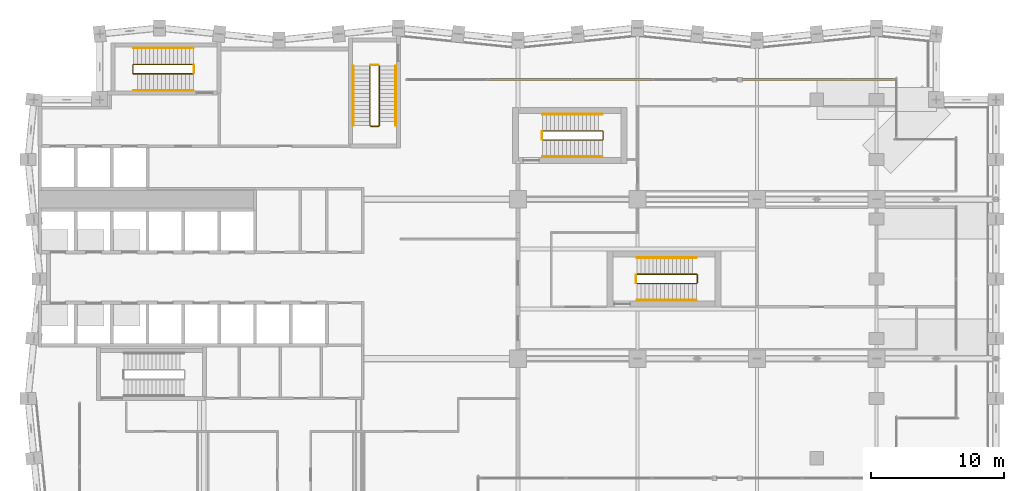
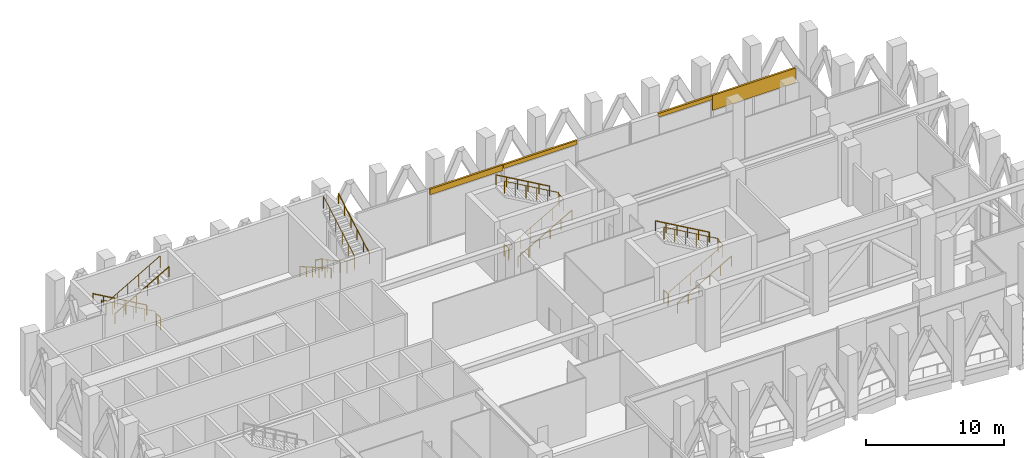
# One storey, part 35 of 37: 16 railings, 4 coverings.
"""IFC4 building model written with IfcOpenShell, lengths in metres."""

from ifc_helpers import new_model, si_unit, direction, frame, origin, origin_2d, place, context, subcontext, project, spatial, rectangle, circle, extrude, material, layer, layer_set, type_object, element, save


model = new_model("IFC4")

# Units and contexts
model_context = context("Model", 3, precision=1e-05, world=origin(), true_north=direction((0.0, 1.0)))
body_context = subcontext(model_context, "Body", "Model", "MODEL_VIEW")
ifc_project = project(units=[si_unit("LENGTHUNIT", "METRE"), si_unit("AREAUNIT", "SQUARE_METRE"), si_unit("VOLUMEUNIT", "CUBIC_METRE"), si_unit("PLANEANGLEUNIT", "RADIAN"), si_unit("MASSUNIT", "GRAM", prefix="KILO")], contexts=[model_context])

# Site, building, storey
site_placement = place(None, origin())
site = spatial("IfcSite", under=ifc_project, at=site_placement, CompositionType="ELEMENT")
building_placement = place(site_placement, origin())
building = spatial("IfcBuilding", under=site, at=building_placement, Name="Brondeck Convention Tower", CompositionType="ELEMENT")
storey_placement = place(building_placement, frame((0.0, 0.0, 137.89990234375)))
storey = spatial("IfcBuildingStorey", under=building, at=storey_placement, Name="L33", CompositionType="ELEMENT", Elevation=137.89990234375)

# Coverings
ifc_material_1 = material(Name="Aluminium, bronze anodised", Category="aluminium")
ifc_layer = layer(ifc_material_1, 0.10009765625)
ifc_layer_set = layer_set([ifc_layer], Name="Curtain wall spandrel panel, bronze anodised aluminium")
covering_type = type_object("IfcCoveringType", Name="Curtain wall spandrel panel, bronze anodised aluminium", PredefinedType="CLADDING", material=ifc_layer_set)
covering_1_placement = place(storey_placement, frame((60.875, 60.0, 3.7001953125), z_axis=(0.0, 0.0, 1.0), x_axis=(1.0, 0.0, 0.0)))
element("IfcCovering", 1, at=covering_1_placement, inside=storey, type_object=covering_type, Name="ENV-L33-024-CW30-SP", PredefinedType="CLADDING", context=body_context, shape_type="SweptSolid", body=[
    extrude(rectangle(XDim=6.949951171875, YDim=0.159912109375, at=origin_2d()), origin(), (0.0, 0.0, 1.0), 1.300048828125),
])
covering_2_placement = place(storey_placement, frame((55.14990234375, 60.0, 4.650146484375), z_axis=(0.0, 0.0, 1.0), x_axis=(1.0, 0.0, 0.0)))
element("IfcCovering", 2, at=covering_2_placement, inside=storey, type_object=covering_type, Name="ENV-L33-025-CW30-SP", PredefinedType="CLADDING", context=body_context, shape_type="SweptSolid", body=[
    extrude(rectangle(XDim=4.5, YDim=0.159912109375, at=origin_2d()), origin(), (0.0, 0.0, 1.0), 0.35009765625),
])
covering_3_placement = place(storey_placement, frame((43.03173828125, 60.0, 4.650146484375), z_axis=(0.0, 0.0, 1.0), x_axis=(1.0, 0.0, 0.0)))
element("IfcCovering", 3, at=covering_3_placement, inside=storey, type_object=covering_type, Name="ENV-L33-028-CW30-SP", PredefinedType="CLADDING", context=body_context, shape_type="SweptSolid", body=[
    extrude(rectangle(XDim=6.13671875, YDim=0.159912109375, at=origin_2d()), origin(), (0.0, 0.0, 1.0), 0.35009765625),
])
covering_4_placement = place(storey_placement, frame((36.85009765625, 60.0, 4.5), z_axis=(0.0, 0.0, 1.0), x_axis=(1.0, 0.0, 0.0)))
element("IfcCovering", 4, at=covering_4_placement, inside=storey, type_object=covering_type, Name="ENV-L33-028-CW31-SP", PredefinedType="CLADDING", context=body_context, shape_type="SweptSolid", body=[
    extrude(rectangle(XDim=6.106689453125, YDim=0.159912109375, at=origin_2d()), origin(), (0.0, 0.0, 1.0), 0.5),
])

# Railings
ifc_material_2 = material(Name="Steel S355", Category="steel")
railing_type_1 = type_object("IfcRailingType", Name="Stair guard 1100", PredefinedType="GUARDRAIL", material=ifc_material_2)
railing_1_placement = place(storey_placement, frame((24.85009765625, 61.050048828125, 0.171875)))
element("IfcRailing", 5, at=railing_1_placement, inside=storey, type_object=railing_type_1, Name="L33 ST-2 stair guard 1", PredefinedType="GUARDRAIL", context=body_context, shape_type="SweptSolid", body=[
    extrude(circle(Radius=0.02392578125, at=origin_2d()), frame((0.0, 0.0, 1.076171875), z_axis=(0.0, -0.867686387293, 0.49711199272), x_axis=(1.0, 0.0, 0.0)), (0.0, 0.0, 1.0), 5.186279296875),
    extrude(circle(Radius=0.02392578125, at=origin_2d()), frame((0.0, -4.5, 3.654296875), z_axis=(0.705375805398, -0.708833529934, 0.0), x_axis=(0.708833529934, 0.705375805398, 0.0)), (0.0, 0.0, 1.0), 0.070556640625),
    extrude(circle(Radius=0.02392578125, at=origin_2d()), frame((0.0498046875, -4.550048828125, 3.654296875), z_axis=(1.0, 0.0, 0.0), x_axis=(0.0, 1.0, 0.0)), (0.0, 0.0, 1.0), 0.60009765625),
    extrude(circle(Radius=0.02392578125, at=origin_2d()), frame((0.64990234375, -4.550048828125, 3.654296875), z_axis=(0.269255725606, 0.269255725606, 0.92466356501), x_axis=(-0.707106781187, 0.707106781187, 0.0)), (0.0, 0.0, 1.0), 0.185791015625),
    extrude(circle(Radius=0.02392578125, at=origin_2d()), frame((0.699951171875, -4.5, 3.826171875), z_axis=(0.0, 0.867686387293, 0.49711199272), x_axis=(-1.0, 0.0, 0.0)), (0.0, 0.0, 1.0), 5.186279296875),
    extrude(circle(Radius=0.02099609375, at=origin_2d()), origin(), (0.0, 0.0, 1.0), 1.052001953125),
    extrude(circle(Radius=0.02099609375, at=origin_2d()), frame((0.0, -0.89990234375, 0.515625)), (0.0, 0.0, 1.0), 1.052001953125),
    extrude(circle(Radius=0.02099609375, at=origin_2d()), frame((0.0, -1.800048828125, 1.03125)), (0.0, 0.0, 1.0), 1.052001953125),
    extrude(circle(Radius=0.02099609375, at=origin_2d()), frame((0.0, -2.699951171875, 1.546875)), (0.0, 0.0, 1.0), 1.052001953125),
    extrude(circle(Radius=0.02099609375, at=origin_2d()), frame((0.0, -3.60009765625, 2.0625)), (0.0, 0.0, 1.0), 1.052001953125),
    extrude(circle(Radius=0.02099609375, at=origin_2d()), frame((0.0, -4.5, 2.578125)), (0.0, 0.0, 1.0), 1.052001953125),
    extrude(circle(Radius=0.02099609375, at=origin_2d()), frame((0.0498046875, -4.550048828125, 2.578125)), (0.0, 0.0, 1.0), 1.052001953125),
    extrude(circle(Radius=0.02099609375, at=origin_2d()), frame((0.64990234375, -4.550048828125, 2.578125)), (0.0, 0.0, 1.0), 1.052001953125),
    extrude(circle(Radius=0.02099609375, at=origin_2d()), frame((0.699951171875, -4.5, 2.75)), (0.0, 0.0, 1.0), 1.052001953125),
    extrude(circle(Radius=0.02099609375, at=origin_2d()), frame((0.699951171875, -3.60009765625, 3.265625)), (0.0, 0.0, 1.0), 1.052001953125),
    extrude(circle(Radius=0.02099609375, at=origin_2d()), frame((0.699951171875, -2.699951171875, 3.78125)), (0.0, 0.0, 1.0), 1.052001953125),
    extrude(circle(Radius=0.02099609375, at=origin_2d()), frame((0.699951171875, -1.800048828125, 4.296875)), (0.0, 0.0, 1.0), 1.052001953125),
    extrude(circle(Radius=0.02099609375, at=origin_2d()), frame((0.699951171875, -0.89990234375, 4.8125)), (0.0, 0.0, 1.0), 1.052001953125),
    extrude(circle(Radius=0.02099609375, at=origin_2d()), frame((0.699951171875, 0.0, 5.328125)), (0.0, 0.0, 1.0), 1.052001953125),
])
railing_2_placement = place(storey_placement, frame((24.89990234375, 61.10009765625, 0.0)))
element("IfcRailing", 6, at=railing_2_placement, inside=storey, type_object=railing_type_1, Name="L33 ST-2 stair guard 2", PredefinedType="GUARDRAIL", context=body_context, shape_type="SweptSolid", body=[
    extrude(circle(Radius=0.02392578125, at=origin_2d()), frame((0.0, 0.0, 1.076171875), z_axis=(1.0, 0.0, 0.0), x_axis=(0.0, 1.0, 0.0)), (0.0, 0.0, 1.0), 0.60009765625),
    extrude(circle(Radius=0.02099609375, at=origin_2d()), origin(), (0.0, 0.0, 1.0), 1.052001953125),
    extrude(circle(Radius=0.02099609375, at=origin_2d()), frame((0.60009765625, 0.0, 0.0)), (0.0, 0.0, 1.0), 1.052001953125),
])
railing_3_placement = place(storey_placement, frame((11.550048828125, 61.14990234375, 0.171875)))
element("IfcRailing", 7, at=railing_3_placement, inside=storey, type_object=railing_type_1, Name="L33 ST-3 stair guard 1", PredefinedType="GUARDRAIL", context=body_context, shape_type="SweptSolid", body=[
    extrude(circle(Radius=0.02392578125, at=origin_2d()), frame((0.0, 0.0, 1.076171875), z_axis=(-0.867686387293, 0.0, 0.49711199272), x_axis=(0.0, -1.0, 0.0)), (0.0, 0.0, 1.0), 5.186279296875),
    extrude(circle(Radius=0.02392578125, at=origin_2d()), frame((-4.5, 0.0, 3.654296875), z_axis=(-0.708833529934, -0.705375805398, 0.0), x_axis=(0.705375805398, -0.708833529934, 0.0)), (0.0, 0.0, 1.0), 0.070556640625),
    extrude(circle(Radius=0.02392578125, at=origin_2d()), frame((-4.550048828125, -0.0498046875, 3.654296875), z_axis=(0.0, -1.0, 0.0), x_axis=(1.0, 0.0, 0.0)), (0.0, 0.0, 1.0), 0.60009765625),
    extrude(circle(Radius=0.02392578125, at=origin_2d()), frame((-4.550048828125, -0.64990234375, 3.654296875), z_axis=(0.269255725606, -0.269255725606, 0.92466356501), x_axis=(0.707106781187, 0.707106781187, 0.0)), (0.0, 0.0, 1.0), 0.185791015625),
    extrude(circle(Radius=0.02392578125, at=origin_2d()), frame((-4.5, -0.699951171875, 3.826171875), z_axis=(0.867686387293, 0.0, 0.49711199272), x_axis=(0.0, 1.0, 0.0)), (0.0, 0.0, 1.0), 5.186279296875),
    extrude(circle(Radius=0.02099609375, at=origin_2d()), origin(), (0.0, 0.0, 1.0), 1.052001953125),
    extrude(circle(Radius=0.02099609375, at=origin_2d()), frame((-0.89990234375, 0.0, 0.515625)), (0.0, 0.0, 1.0), 1.052001953125),
    extrude(circle(Radius=0.02099609375, at=origin_2d()), frame((-1.800048828125, 0.0, 1.03125)), (0.0, 0.0, 1.0), 1.052001953125),
    extrude(circle(Radius=0.02099609375, at=origin_2d()), frame((-2.699951171875, 0.0, 1.546875)), (0.0, 0.0, 1.0), 1.052001953125),
    extrude(circle(Radius=0.02099609375, at=origin_2d()), frame((-3.60009765625, 0.0, 2.0625)), (0.0, 0.0, 1.0), 1.052001953125),
    extrude(circle(Radius=0.02099609375, at=origin_2d()), frame((-4.5, 0.0, 2.578125)), (0.0, 0.0, 1.0), 1.052001953125),
    extrude(circle(Radius=0.02099609375, at=origin_2d()), frame((-4.550048828125, -0.0498046875, 2.578125)), (0.0, 0.0, 1.0), 1.052001953125),
    extrude(circle(Radius=0.02099609375, at=origin_2d()), frame((-4.550048828125, -0.64990234375, 2.578125)), (0.0, 0.0, 1.0), 1.052001953125),
    extrude(circle(Radius=0.02099609375, at=origin_2d()), frame((-4.5, -0.699951171875, 2.75)), (0.0, 0.0, 1.0), 1.052001953125),
    extrude(circle(Radius=0.02099609375, at=origin_2d()), frame((-3.60009765625, -0.699951171875, 3.265625)), (0.0, 0.0, 1.0), 1.052001953125),
    extrude(circle(Radius=0.02099609375, at=origin_2d()), frame((-2.699951171875, -0.699951171875, 3.78125)), (0.0, 0.0, 1.0), 1.052001953125),
    extrude(circle(Radius=0.02099609375, at=origin_2d()), frame((-1.800048828125, -0.699951171875, 4.296875)), (0.0, 0.0, 1.0), 1.052001953125),
    extrude(circle(Radius=0.02099609375, at=origin_2d()), frame((-0.89990234375, -0.699951171875, 4.8125)), (0.0, 0.0, 1.0), 1.052001953125),
    extrude(circle(Radius=0.02099609375, at=origin_2d()), frame((0.0, -0.699951171875, 5.328125)), (0.0, 0.0, 1.0), 1.052001953125),
])
railing_4_placement = place(storey_placement, frame((11.60009765625, 61.10009765625, 0.0)))
element("IfcRailing", 8, at=railing_4_placement, inside=storey, type_object=railing_type_1, Name="L33 ST-3 stair guard 2", PredefinedType="GUARDRAIL", context=body_context, shape_type="SweptSolid", body=[
    extrude(circle(Radius=0.02392578125, at=origin_2d()), frame((0.0, 0.0, 1.076171875), z_axis=(0.0, -1.0, 0.0), x_axis=(1.0, 0.0, 0.0)), (0.0, 0.0, 1.0), 0.60009765625),
    extrude(circle(Radius=0.02099609375, at=origin_2d()), origin(), (0.0, 0.0, 1.0), 1.052001953125),
    extrude(circle(Radius=0.02099609375, at=origin_2d()), frame((0.0, -0.60009765625, 0.0)), (0.0, 0.0, 1.0), 1.052001953125),
])
railing_5_placement = place(storey_placement, frame((37.85009765625, 55.449951171875, 0.171875)))
element("IfcRailing", 9, at=railing_5_placement, inside=storey, type_object=railing_type_1, Name="L33 ST-AE stair guard 1", PredefinedType="GUARDRAIL", context=body_context, shape_type="SweptSolid", body=[
    extrude(circle(Radius=0.02392578125, at=origin_2d()), frame((0.0, 0.0, 1.076171875), z_axis=(0.867686387293, 0.0, 0.49711199272), x_axis=(0.0, 1.0, 0.0)), (0.0, 0.0, 1.0), 5.186279296875),
    extrude(circle(Radius=0.02392578125, at=origin_2d()), frame((4.5, 0.0, 3.654296875), z_axis=(0.705375805398, 0.708833529934, 0.0), x_axis=(-0.708833529934, 0.705375805398, 0.0)), (0.0, 0.0, 1.0), 0.070556640625),
    extrude(circle(Radius=0.02392578125, at=origin_2d()), frame((4.5498046875, 0.050048828125, 3.654296875), z_axis=(0.0, 1.0, 0.0), x_axis=(-1.0, 0.0, 0.0)), (0.0, 0.0, 1.0), 0.60009765625),
    extrude(circle(Radius=0.02392578125, at=origin_2d()), frame((4.5498046875, 0.650146484375, 3.654296875), z_axis=(-0.268131537743, 0.268131537743, 0.92531667927), x_axis=(-0.707106781187, -0.707106781187, 0.0)), (0.0, 0.0, 1.0), 0.185791015625),
    extrude(circle(Radius=0.02392578125, at=origin_2d()), frame((4.5, 0.699951171875, 3.826171875), z_axis=(-0.867686387293, 0.0, 0.49711199272), x_axis=(0.0, -1.0, 0.0)), (0.0, 0.0, 1.0), 5.186279296875),
    extrude(circle(Radius=0.02099609375, at=origin_2d()), origin(), (0.0, 0.0, 1.0), 1.052001953125),
    extrude(circle(Radius=0.02099609375, at=origin_2d()), frame((0.89990234375, 0.0, 0.515625)), (0.0, 0.0, 1.0), 1.052001953125),
    extrude(circle(Radius=0.02099609375, at=origin_2d()), frame((1.800048828125, 0.0, 1.03125)), (0.0, 0.0, 1.0), 1.052001953125),
    extrude(circle(Radius=0.02099609375, at=origin_2d()), frame((2.699951171875, 0.0, 1.546875)), (0.0, 0.0, 1.0), 1.052001953125),
    extrude(circle(Radius=0.02099609375, at=origin_2d()), frame((3.60009765625, 0.0, 2.0625)), (0.0, 0.0, 1.0), 1.052001953125),
    extrude(circle(Radius=0.02099609375, at=origin_2d()), frame((4.5, 0.0, 2.578125)), (0.0, 0.0, 1.0), 1.052001953125),
    extrude(circle(Radius=0.02099609375, at=origin_2d()), frame((4.5498046875, 0.050048828125, 2.578125)), (0.0, 0.0, 1.0), 1.052001953125),
    extrude(circle(Radius=0.02099609375, at=origin_2d()), frame((4.5498046875, 0.650146484375, 2.578125)), (0.0, 0.0, 1.0), 1.052001953125),
    extrude(circle(Radius=0.02099609375, at=origin_2d()), frame((4.5, 0.699951171875, 2.75)), (0.0, 0.0, 1.0), 1.052001953125),
    extrude(circle(Radius=0.02099609375, at=origin_2d()), frame((3.60009765625, 0.699951171875, 3.265625)), (0.0, 0.0, 1.0), 1.052001953125),
    extrude(circle(Radius=0.02099609375, at=origin_2d()), frame((2.699951171875, 0.699951171875, 3.78125)), (0.0, 0.0, 1.0), 1.052001953125),
    extrude(circle(Radius=0.02099609375, at=origin_2d()), frame((1.800048828125, 0.699951171875, 4.296875)), (0.0, 0.0, 1.0), 1.052001953125),
    extrude(circle(Radius=0.02099609375, at=origin_2d()), frame((0.89990234375, 0.699951171875, 4.8125)), (0.0, 0.0, 1.0), 1.052001953125),
    extrude(circle(Radius=0.02099609375, at=origin_2d()), frame((0.0, 0.699951171875, 5.328125)), (0.0, 0.0, 1.0), 1.052001953125),
])
railing_6_placement = place(storey_placement, frame((37.800048828125, 55.5, 0.0)))
element("IfcRailing", 10, at=railing_6_placement, inside=storey, type_object=railing_type_1, Name="L33 ST-AE stair guard 2", PredefinedType="GUARDRAIL", context=body_context, shape_type="SweptSolid", body=[
    extrude(circle(Radius=0.02392578125, at=origin_2d()), frame((0.0, 0.0, 1.076171875), z_axis=(0.0, 1.0, 0.0), x_axis=(-1.0, 0.0, 0.0)), (0.0, 0.0, 1.0), 0.60009765625),
    extrude(circle(Radius=0.02099609375, at=origin_2d()), origin(), (0.0, 0.0, 1.0), 1.052001953125),
    extrude(circle(Radius=0.02099609375, at=origin_2d()), frame((0.0, 0.60009765625, 0.0)), (0.0, 0.0, 1.0), 1.052001953125),
])
railing_7_placement = place(storey_placement, frame((44.949951171875, 44.64990234375, 0.171875)))
element("IfcRailing", 11, at=railing_7_placement, inside=storey, type_object=railing_type_1, Name="L33 ST-AF stair guard 1", PredefinedType="GUARDRAIL", context=body_context, shape_type="SweptSolid", body=[
    extrude(circle(Radius=0.02392578125, at=origin_2d()), frame((0.0, 0.0, 1.076171875), z_axis=(0.867686387293, 0.0, 0.49711199272), x_axis=(0.0, 1.0, 0.0)), (0.0, 0.0, 1.0), 5.186279296875),
    extrude(circle(Radius=0.02392578125, at=origin_2d()), frame((4.5, 0.0, 3.654296875), z_axis=(0.707106781187, 0.707106781187, 0.0), x_axis=(-0.707106781187, 0.707106781187, 0.0)), (0.0, 0.0, 1.0), 0.07080078125),
    extrude(circle(Radius=0.02392578125, at=origin_2d()), frame((4.550048828125, 0.050048828125, 3.654296875), z_axis=(0.0, 1.0, 0.0), x_axis=(-1.0, 0.0, 0.0)), (0.0, 0.0, 1.0), 0.60009765625),
    extrude(circle(Radius=0.02392578125, at=origin_2d()), frame((4.550048828125, 0.650146484375, 3.654296875), z_axis=(-0.269255725606, 0.269255725606, 0.92466356501), x_axis=(-0.707106781187, -0.707106781187, 0.0)), (0.0, 0.0, 1.0), 0.185791015625),
    extrude(circle(Radius=0.02392578125, at=origin_2d()), frame((4.5, 0.7001953125, 3.826171875), z_axis=(-0.867686387293, 0.0, 0.49711199272), x_axis=(0.0, -1.0, 0.0)), (0.0, 0.0, 1.0), 5.186279296875),
    extrude(circle(Radius=0.02099609375, at=origin_2d()), origin(), (0.0, 0.0, 1.0), 1.052001953125),
    extrude(circle(Radius=0.02099609375, at=origin_2d()), frame((0.89990234375, 0.0, 0.515625)), (0.0, 0.0, 1.0), 1.052001953125),
    extrude(circle(Radius=0.02099609375, at=origin_2d()), frame((1.800048828125, 0.0, 1.03125)), (0.0, 0.0, 1.0), 1.052001953125),
    extrude(circle(Radius=0.02099609375, at=origin_2d()), frame((2.699951171875, 0.0, 1.546875)), (0.0, 0.0, 1.0), 1.052001953125),
    extrude(circle(Radius=0.02099609375, at=origin_2d()), frame((3.60009765625, 0.0, 2.0625)), (0.0, 0.0, 1.0), 1.052001953125),
    extrude(circle(Radius=0.02099609375, at=origin_2d()), frame((4.5, 0.0, 2.578125)), (0.0, 0.0, 1.0), 1.052001953125),
    extrude(circle(Radius=0.02099609375, at=origin_2d()), frame((4.550048828125, 0.050048828125, 2.578125)), (0.0, 0.0, 1.0), 1.052001953125),
    extrude(circle(Radius=0.02099609375, at=origin_2d()), frame((4.550048828125, 0.650146484375, 2.578125)), (0.0, 0.0, 1.0), 1.052001953125),
    extrude(circle(Radius=0.02099609375, at=origin_2d()), frame((4.5, 0.7001953125, 2.75)), (0.0, 0.0, 1.0), 1.052001953125),
    extrude(circle(Radius=0.02099609375, at=origin_2d()), frame((3.60009765625, 0.7001953125, 3.265625)), (0.0, 0.0, 1.0), 1.052001953125),
    extrude(circle(Radius=0.02099609375, at=origin_2d()), frame((2.699951171875, 0.7001953125, 3.78125)), (0.0, 0.0, 1.0), 1.052001953125),
    extrude(circle(Radius=0.02099609375, at=origin_2d()), frame((1.800048828125, 0.7001953125, 4.296875)), (0.0, 0.0, 1.0), 1.052001953125),
    extrude(circle(Radius=0.02099609375, at=origin_2d()), frame((0.89990234375, 0.7001953125, 4.8125)), (0.0, 0.0, 1.0), 1.052001953125),
    extrude(circle(Radius=0.02099609375, at=origin_2d()), frame((0.0, 0.7001953125, 5.328125)), (0.0, 0.0, 1.0), 1.052001953125),
])
railing_8_placement = place(storey_placement, frame((44.89990234375, 44.699951171875, 0.0)))
element("IfcRailing", 12, at=railing_8_placement, inside=storey, type_object=railing_type_1, Name="L33 ST-AF stair guard 2", PredefinedType="GUARDRAIL", context=body_context, shape_type="SweptSolid", body=[
    extrude(circle(Radius=0.02392578125, at=origin_2d()), frame((0.0, 0.0, 1.076171875), z_axis=(0.0, 1.0, 0.0), x_axis=(-1.0, 0.0, 0.0)), (0.0, 0.0, 1.0), 0.60009765625),
    extrude(circle(Radius=0.02099609375, at=origin_2d()), origin(), (0.0, 0.0, 1.0), 1.052001953125),
    extrude(circle(Radius=0.02099609375, at=origin_2d()), frame((0.0, 0.60009765625, 0.0)), (0.0, 0.0, 1.0), 1.052001953125),
])
railing_type_2 = type_object("IfcRailingType", Name="Stair handrail", PredefinedType="HANDRAIL", material=ifc_material_2)
railing_9_placement = place(storey_placement, frame((23.60009765625, 61.050048828125, 0.171875)))
element("IfcRailing", 13, at=railing_9_placement, inside=storey, type_object=railing_type_2, Name="L33 ST-2 stair handrail 1", PredefinedType="HANDRAIL", context=body_context, shape_type="SweptSolid", body=[
    extrude(circle(Radius=0.02392578125, at=origin_2d()), frame((0.0, 0.0, 0.8759765625), z_axis=(0.0, -0.867686387293, 0.49711199272), x_axis=(1.0, 0.0, 0.0)), (0.0, 0.0, 1.0), 5.186279296875),
    extrude(circle(Radius=0.02099609375, at=origin_2d()), origin(), (0.0, 0.0, 1.0), 0.851806640625),
    extrude(circle(Radius=0.02099609375, at=origin_2d()), frame((0.0, -0.89990234375, 0.515625)), (0.0, 0.0, 1.0), 0.851806640625),
    extrude(circle(Radius=0.02099609375, at=origin_2d()), frame((0.0, -1.800048828125, 1.03125)), (0.0, 0.0, 1.0), 0.851806640625),
    extrude(circle(Radius=0.02099609375, at=origin_2d()), frame((0.0, -2.699951171875, 1.546875)), (0.0, 0.0, 1.0), 0.851806640625),
    extrude(circle(Radius=0.02099609375, at=origin_2d()), frame((0.0, -3.60009765625, 2.0625)), (0.0, 0.0, 1.0), 0.851806640625),
    extrude(circle(Radius=0.02099609375, at=origin_2d()), frame((0.0, -4.5, 2.578125)), (0.0, 0.0, 1.0), 0.851806640625),
])
railing_10_placement = place(storey_placement, frame((26.800048828125, 56.550048828125, 2.921875)))
element("IfcRailing", 14, at=railing_10_placement, inside=storey, type_object=railing_type_2, Name="L33 ST-2 stair handrail 2", PredefinedType="HANDRAIL", context=body_context, shape_type="SweptSolid", body=[
    extrude(circle(Radius=0.02392578125, at=origin_2d()), frame((0.0, 0.0, 0.8759765625), z_axis=(0.0, 0.867686387293, 0.49711199272), x_axis=(-1.0, 0.0, 0.0)), (0.0, 0.0, 1.0), 5.186279296875),
    extrude(circle(Radius=0.02099609375, at=origin_2d()), origin(), (0.0, 0.0, 1.0), 0.851806640625),
    extrude(circle(Radius=0.02099609375, at=origin_2d()), frame((0.0, 0.89990234375, 0.515625)), (0.0, 0.0, 1.0), 0.851806640625),
    extrude(circle(Radius=0.02099609375, at=origin_2d()), frame((0.0, 1.800048828125, 1.03125)), (0.0, 0.0, 1.0), 0.851806640625),
    extrude(circle(Radius=0.02099609375, at=origin_2d()), frame((0.0, 2.699951171875, 1.546875)), (0.0, 0.0, 1.0), 0.851806640625),
    extrude(circle(Radius=0.02099609375, at=origin_2d()), frame((0.0, 3.60009765625, 2.0625)), (0.0, 0.0, 1.0), 0.851806640625),
    extrude(circle(Radius=0.02099609375, at=origin_2d()), frame((0.0, 4.5, 2.578125)), (0.0, 0.0, 1.0), 0.851806640625),
])
railing_11_placement = place(storey_placement, frame((11.550048828125, 62.39990234375, 0.171875)))
element("IfcRailing", 15, at=railing_11_placement, inside=storey, type_object=railing_type_2, Name="L33 ST-3 stair handrail 1", PredefinedType="HANDRAIL", context=body_context, shape_type="SweptSolid", body=[
    extrude(circle(Radius=0.02392578125, at=origin_2d()), frame((0.0, 0.0, 0.8759765625), z_axis=(-0.867686387293, 0.0, 0.49711199272), x_axis=(0.0, -1.0, 0.0)), (0.0, 0.0, 1.0), 5.186279296875),
    extrude(circle(Radius=0.02099609375, at=origin_2d()), origin(), (0.0, 0.0, 1.0), 0.851806640625),
    extrude(circle(Radius=0.02099609375, at=origin_2d()), frame((-0.89990234375, 0.0, 0.515625)), (0.0, 0.0, 1.0), 0.851806640625),
    extrude(circle(Radius=0.02099609375, at=origin_2d()), frame((-1.800048828125, 0.0, 1.03125)), (0.0, 0.0, 1.0), 0.851806640625),
    extrude(circle(Radius=0.02099609375, at=origin_2d()), frame((-2.699951171875, 0.0, 1.546875)), (0.0, 0.0, 1.0), 0.851806640625),
    extrude(circle(Radius=0.02099609375, at=origin_2d()), frame((-3.60009765625, 0.0, 2.0625)), (0.0, 0.0, 1.0), 0.851806640625),
    extrude(circle(Radius=0.02099609375, at=origin_2d()), frame((-4.5, 0.0, 2.578125)), (0.0, 0.0, 1.0), 0.851806640625),
])
for number, where, name in (
    (16, (7.050048828125, 59.199951171875, 2.921875), "L33 ST-3 stair handrail 2"),
    (17, (37.85009765625, 54.199951171875, 0.171875), "L33 ST-AE stair handrail 1"),
):
    element("IfcRailing", number, at=place(storey_placement, frame(where)), inside=storey, type_object=railing_type_2, Name=name, PredefinedType="HANDRAIL", context=body_context, shape_type="SweptSolid", body=[
        extrude(circle(Radius=0.02392578125, at=origin_2d()), frame((0.0, 0.0, 0.8759765625), z_axis=(0.867686387293, 0.0, 0.49711199272), x_axis=(0.0, 1.0, 0.0)), (0.0, 0.0, 1.0), 5.186279296875),
        extrude(circle(Radius=0.02099609375, at=origin_2d()), origin(), (0.0, 0.0, 1.0), 0.851806640625),
        extrude(circle(Radius=0.02099609375, at=origin_2d()), frame((0.89990234375, 0.0, 0.515625)), (0.0, 0.0, 1.0), 0.851806640625),
        extrude(circle(Radius=0.02099609375, at=origin_2d()), frame((1.800048828125, 0.0, 1.03125)), (0.0, 0.0, 1.0), 0.851806640625),
        extrude(circle(Radius=0.02099609375, at=origin_2d()), frame((2.699951171875, 0.0, 1.546875)), (0.0, 0.0, 1.0), 0.851806640625),
        extrude(circle(Radius=0.02099609375, at=origin_2d()), frame((3.60009765625, 0.0, 2.0625)), (0.0, 0.0, 1.0), 0.851806640625),
        extrude(circle(Radius=0.02099609375, at=origin_2d()), frame((4.5, 0.0, 2.578125)), (0.0, 0.0, 1.0), 0.851806640625),
    ])
railing_12_placement = place(storey_placement, frame((42.35009765625, 57.39990234375, 2.921875)))
element("IfcRailing", 18, at=railing_12_placement, inside=storey, type_object=railing_type_2, Name="L33 ST-AE stair handrail 2", PredefinedType="HANDRAIL", context=body_context, shape_type="SweptSolid", body=[
    extrude(circle(Radius=0.02392578125, at=origin_2d()), frame((0.0, 0.0, 0.8759765625), z_axis=(-0.867686387293, 0.0, 0.49711199272), x_axis=(0.0, -1.0, 0.0)), (0.0, 0.0, 1.0), 5.186279296875),
    extrude(circle(Radius=0.02099609375, at=origin_2d()), origin(), (0.0, 0.0, 1.0), 0.851806640625),
    extrude(circle(Radius=0.02099609375, at=origin_2d()), frame((-0.89990234375, 0.0, 0.515625)), (0.0, 0.0, 1.0), 0.851806640625),
    extrude(circle(Radius=0.02099609375, at=origin_2d()), frame((-1.800048828125, 0.0, 1.03125)), (0.0, 0.0, 1.0), 0.851806640625),
    extrude(circle(Radius=0.02099609375, at=origin_2d()), frame((-2.699951171875, 0.0, 1.546875)), (0.0, 0.0, 1.0), 0.851806640625),
    extrude(circle(Radius=0.02099609375, at=origin_2d()), frame((-3.60009765625, 0.0, 2.0625)), (0.0, 0.0, 1.0), 0.851806640625),
    extrude(circle(Radius=0.02099609375, at=origin_2d()), frame((-4.5, 0.0, 2.578125)), (0.0, 0.0, 1.0), 0.851806640625),
])
railing_13_placement = place(storey_placement, frame((44.949951171875, 43.39990234375, 0.171875)))
element("IfcRailing", 19, at=railing_13_placement, inside=storey, type_object=railing_type_2, Name="L33 ST-AF stair handrail 1", PredefinedType="HANDRAIL", context=body_context, shape_type="SweptSolid", body=[
    extrude(circle(Radius=0.02392578125, at=origin_2d()), frame((0.0, 0.0, 0.8759765625), z_axis=(0.867686387293, 0.0, 0.49711199272), x_axis=(0.0, 1.0, 0.0)), (0.0, 0.0, 1.0), 5.186279296875),
    extrude(circle(Radius=0.02099609375, at=origin_2d()), origin(), (0.0, 0.0, 1.0), 0.851806640625),
    extrude(circle(Radius=0.02099609375, at=origin_2d()), frame((0.89990234375, 0.0, 0.515625)), (0.0, 0.0, 1.0), 0.851806640625),
    extrude(circle(Radius=0.02099609375, at=origin_2d()), frame((1.800048828125, 0.0, 1.03125)), (0.0, 0.0, 1.0), 0.851806640625),
    extrude(circle(Radius=0.02099609375, at=origin_2d()), frame((2.699951171875, 0.0, 1.546875)), (0.0, 0.0, 1.0), 0.851806640625),
    extrude(circle(Radius=0.02099609375, at=origin_2d()), frame((3.60009765625, 0.0, 2.0625)), (0.0, 0.0, 1.0), 0.851806640625),
    extrude(circle(Radius=0.02099609375, at=origin_2d()), frame((4.5, 0.0, 2.578125)), (0.0, 0.0, 1.0), 0.851806640625),
])
railing_14_placement = place(storey_placement, frame((49.449951171875, 46.60009765625, 2.921875)))
element("IfcRailing", 20, at=railing_14_placement, inside=storey, type_object=railing_type_2, Name="L33 ST-AF stair handrail 2", PredefinedType="HANDRAIL", context=body_context, shape_type="SweptSolid", body=[
    extrude(circle(Radius=0.02392578125, at=origin_2d()), frame((0.0, 0.0, 0.8759765625), z_axis=(-0.867686387293, 0.0, 0.49711199272), x_axis=(0.0, -1.0, 0.0)), (0.0, 0.0, 1.0), 5.186279296875),
    extrude(circle(Radius=0.02099609375, at=origin_2d()), origin(), (0.0, 0.0, 1.0), 0.851806640625),
    extrude(circle(Radius=0.02099609375, at=origin_2d()), frame((-0.89990234375, 0.0, 0.515625)), (0.0, 0.0, 1.0), 0.851806640625),
    extrude(circle(Radius=0.02099609375, at=origin_2d()), frame((-1.800048828125, 0.0, 1.03125)), (0.0, 0.0, 1.0), 0.851806640625),
    extrude(circle(Radius=0.02099609375, at=origin_2d()), frame((-2.699951171875, 0.0, 1.546875)), (0.0, 0.0, 1.0), 0.851806640625),
    extrude(circle(Radius=0.02099609375, at=origin_2d()), frame((-3.60009765625, 0.0, 2.0625)), (0.0, 0.0, 1.0), 0.851806640625),
    extrude(circle(Radius=0.02099609375, at=origin_2d()), frame((-4.5, 0.0, 2.578125)), (0.0, 0.0, 1.0), 0.851806640625),
])

save(model, "model.ifc")
